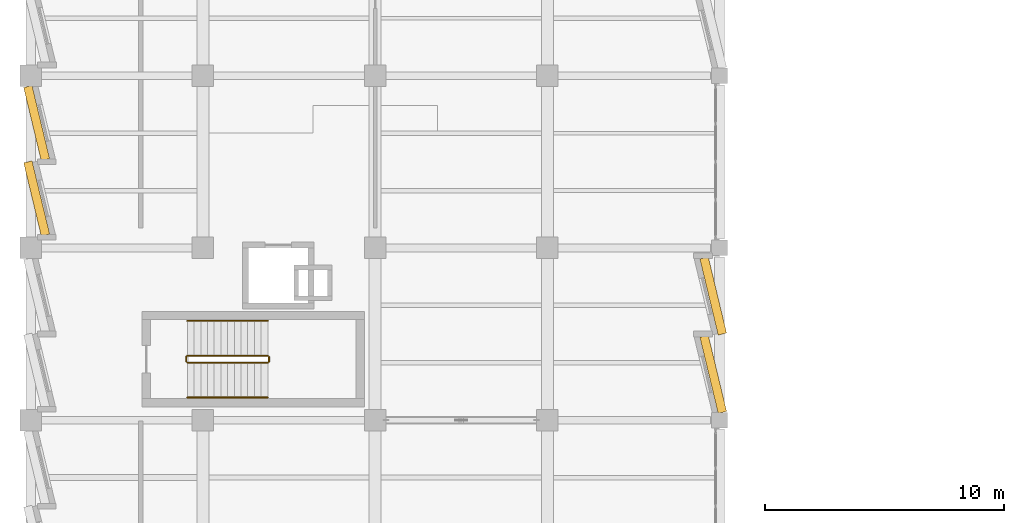
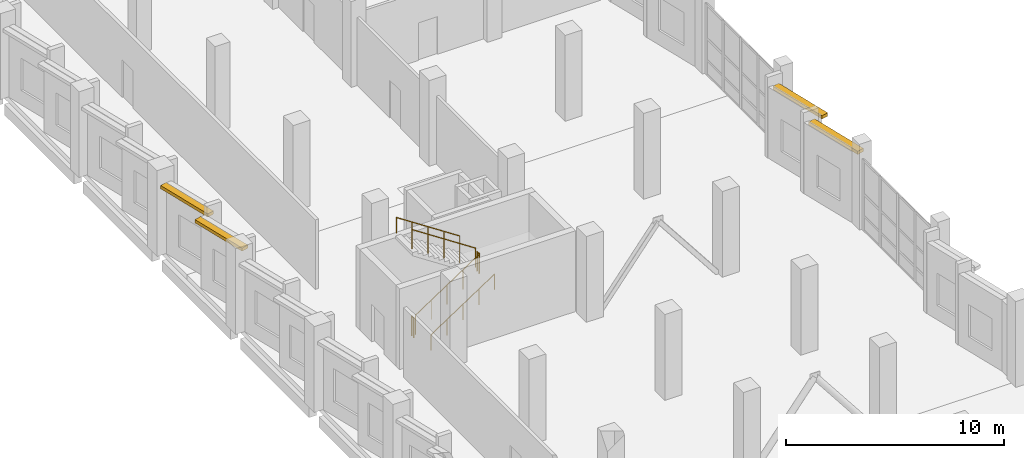
# One storey, part 111 of 127: 6 railings, 4 shading devices.
"""IFC4 building model written with IfcOpenShell, lengths in metres."""

from ifc_helpers import new_model, si_unit, direction, frame, origin, origin_2d, place, context, subcontext, project, spatial, rectangle, circle, extrude, material, layer, layer_set, type_object, element, save


model = new_model("IFC4")

# Units and contexts
model_context = context("Model", 3, precision=1e-05, world=origin(), true_north=direction((0.0, 1.0)))
body_context = subcontext(model_context, "Body", "Model", "MODEL_VIEW")
ifc_project = project(units=[si_unit("LENGTHUNIT", "METRE"), si_unit("AREAUNIT", "SQUARE_METRE"), si_unit("VOLUMEUNIT", "CUBIC_METRE"), si_unit("PLANEANGLEUNIT", "RADIAN"), si_unit("MASSUNIT", "GRAM", prefix="KILO")], contexts=[model_context])

# Site, building, storey
site_placement = place(None, origin())
site = spatial("IfcSite", under=ifc_project, at=site_placement, CompositionType="ELEMENT")
building_placement = place(site_placement, origin())
building = spatial("IfcBuilding", under=site, at=building_placement, Name="Kalmorath City Hall", CompositionType="ELEMENT")
storey_placement = place(building_placement, frame((0.0, 0.0, 5.39990234375)))
storey = spatial("IfcBuildingStorey", under=building, at=storey_placement, Name="L01", CompositionType="ELEMENT", Elevation=5.39990234375)

# Shading devices
ifc_material_1 = material(Name="Precast concrete C40/50", Category="concrete")
ifc_layer = layer(ifc_material_1, 0.179931640625)
ifc_layer_set = layer_set([ifc_layer], Name="Precast concrete C40/50")
shading_device_type = type_object("IfcShadingDeviceType", Name="Precast sawtooth brow sunshade 350", PredefinedType="USERDEFINED", material=ifc_layer_set)
for number, where, z_axis, x_axis, name in (
    (1, (0.246826171875, 59.671630859375, 3.76611328125), (0.0, 0.0, 1.0), (-0.233445363856, 0.972369920398, 0.0), "L01 precast sawtooth hood #102"),
    (2, (0.246826171875, 62.82080078125, 3.76611328125), (0.0, 0.0, 1.0), (-0.233445363856, 0.972369920398, 0.0), "L01 precast sawtooth hood #103"),
):
    element("IfcShadingDevice", number, at=place(storey_placement, frame(where, z_axis=z_axis, x_axis=x_axis)), inside=storey, type_object=shading_device_type, Name=name, ObjectType="SUNSHADE", PredefinedType="USERDEFINED", context=body_context, shape_type="SweptSolid", body=[
        extrude(rectangle(XDim=3.1435546875, YDim=0.360107421875, at=origin_2d()), origin(), (0.0, 0.0, 1.0), 0.179931640625),
    ])
for number, where, z_axis, x_axis, name in (
    (3, (28.5380859375, 55.5908203125, 3.76611328125), (0.0, 0.0, 1.0), (0.233445363856, -0.972369920398, 0.0), "L01 precast sawtooth hood #182"),
    (4, (28.5380859375, 52.31689453125, 3.76611328125), (0.0, 0.0, 1.0), (0.233445363856, -0.972369920398, 0.0), "L01 precast sawtooth hood #183"),
):
    element("IfcShadingDevice", number, at=place(storey_placement, frame(where, z_axis=z_axis, x_axis=x_axis)), inside=storey, type_object=shading_device_type, Name=name, ObjectType="SUNSHADE", PredefinedType="USERDEFINED", context=body_context, shape_type="SweptSolid", body=[
        extrude(rectangle(XDim=3.27197265625, YDim=0.360107421875, at=origin_2d()), origin(), (0.0, 0.0, 1.0), 0.179931640625),
    ])

# Railings
ifc_material_2 = material(Name="Painted steel guardrail", Category="steel")
railing_type_1 = type_object("IfcRailingType", Name="Protected stair guardrail 1100", PredefinedType="GUARDRAIL", material=ifc_material_2)
railing_1_placement = place(storey_placement, frame((6.550048828125, 52.800048828125, 0.184814453125)))
element("IfcRailing", 5, at=railing_1_placement, inside=storey, type_object=railing_type_1, Name="L01 ST-3 stair guard 1", PredefinedType="GUARDRAIL", context=body_context, shape_type="SweptSolid", body=[
    extrude(circle(Radius=0.02392578125, at=origin_2d()), frame((0.0, 0.0, 1.076171875), z_axis=(0.834858096282, 0.0, 0.550465220583), x_axis=(0.0, 1.0, 0.0)), (0.0, 0.0, 1.0), 4.0244140625),
    extrude(circle(Radius=0.02099609375, at=origin_2d()), origin(), (0.0, 0.0, 1.0), 1.052001953125),
    extrude(circle(Radius=0.02099609375, at=origin_2d()), frame((0.83984375, 0.0, 0.5537109375)), (0.0, 0.0, 1.0), 1.052001953125),
    extrude(circle(Radius=0.02099609375, at=origin_2d()), frame((1.679931640625, 0.0, 1.107666015625)), (0.0, 0.0, 1.0), 1.052001953125),
    extrude(circle(Radius=0.02099609375, at=origin_2d()), frame((2.52001953125, 0.0, 1.66162109375)), (0.0, 0.0, 1.0), 1.052001953125),
    extrude(circle(Radius=0.02099609375, at=origin_2d()), frame((3.35986328125, 0.0, 2.21533203125)), (0.0, 0.0, 1.0), 1.052001953125),
])
railing_2_placement = place(storey_placement, frame((9.9599609375, 52.85009765625, 2.400146484375)))
element("IfcRailing", 6, at=railing_2_placement, inside=storey, type_object=railing_type_1, Name="L01 ST-3 stair guard 2", PredefinedType="GUARDRAIL", context=body_context, shape_type="SweptSolid", body=[
    extrude(circle(Radius=0.02392578125, at=origin_2d()), frame((0.0, 0.0, 1.076171875), z_axis=(0.0, 1.0, 0.0), x_axis=(-1.0, 0.0, 0.0)), (0.0, 0.0, 1.0), 0.199951171875),
    extrude(circle(Radius=0.02099609375, at=origin_2d()), origin(), (0.0, 0.0, 1.0), 1.052001953125),
    extrude(circle(Radius=0.02099609375, at=origin_2d()), frame((0.0, 0.199951171875, 0.0)), (0.0, 0.0, 1.0), 1.052001953125),
])
railing_3_placement = place(storey_placement, frame((9.909912109375, 53.10009765625, 2.584716796875)))
element("IfcRailing", 7, at=railing_3_placement, inside=storey, type_object=railing_type_1, Name="L01 ST-3 stair guard 3", PredefinedType="GUARDRAIL", context=body_context, shape_type="SweptSolid", body=[
    extrude(circle(Radius=0.02392578125, at=origin_2d()), frame((0.0, 0.0, 1.076171875), z_axis=(-0.834858096282, 0.0, 0.550465220583), x_axis=(0.0, -1.0, 0.0)), (0.0, 0.0, 1.0), 4.0244140625),
    extrude(circle(Radius=0.02099609375, at=origin_2d()), origin(), (0.0, 0.0, 1.0), 1.052001953125),
    extrude(circle(Radius=0.02099609375, at=origin_2d()), frame((-0.83984375, 0.0, 0.5537109375)), (0.0, 0.0, 1.0), 1.052001953125),
    extrude(circle(Radius=0.02099609375, at=origin_2d()), frame((-1.679931640625, 0.0, 1.107666015625)), (0.0, 0.0, 1.0), 1.052001953125),
    extrude(circle(Radius=0.02099609375, at=origin_2d()), frame((-2.52001953125, 0.0, 1.66162109375)), (0.0, 0.0, 1.0), 1.052001953125),
    extrude(circle(Radius=0.02099609375, at=origin_2d()), frame((-3.35986328125, 0.0, 2.21533203125)), (0.0, 0.0, 1.0), 1.052001953125),
])
railing_4_placement = place(storey_placement, frame((6.5, 52.85009765625, 0.0)))
element("IfcRailing", 8, at=railing_4_placement, inside=storey, type_object=railing_type_1, Name="L01 ST-3 stair guard 4", PredefinedType="GUARDRAIL", context=body_context, shape_type="SweptSolid", body=[
    extrude(circle(Radius=0.02392578125, at=origin_2d()), frame((0.0, 0.0, 1.076171875), z_axis=(0.0, 1.0, 0.0), x_axis=(-1.0, 0.0, 0.0)), (0.0, 0.0, 1.0), 0.199951171875),
    extrude(circle(Radius=0.02099609375, at=origin_2d()), origin(), (0.0, 0.0, 1.0), 1.052001953125),
    extrude(circle(Radius=0.02099609375, at=origin_2d()), frame((0.0, 0.199951171875, 0.0)), (0.0, 0.0, 1.0), 1.052001953125),
])
ifc_material_3 = material(Name="Brushed stainless steel handrail", Category="steel")
railing_type_2 = type_object("IfcRailingType", Name="Stair pitch handrail 900", PredefinedType="HANDRAIL", material=ifc_material_3)
railing_5_placement = place(storey_placement, frame((6.550048828125, 51.35009765625, 0.184814453125)))
element("IfcRailing", 9, at=railing_5_placement, inside=storey, type_object=railing_type_2, Name="L01 ST-3 stair handrail 1", PredefinedType="HANDRAIL", context=body_context, shape_type="SweptSolid", body=[
    extrude(circle(Radius=0.02392578125, at=origin_2d()), frame((0.0, 0.0, 0.8759765625), z_axis=(0.834858096282, 0.0, 0.550465220583), x_axis=(0.0, 1.0, 0.0)), (0.0, 0.0, 1.0), 4.0244140625),
    extrude(circle(Radius=0.02099609375, at=origin_2d()), origin(), (0.0, 0.0, 1.0), 0.851806640625),
    extrude(circle(Radius=0.02099609375, at=origin_2d()), frame((0.83984375, 0.0, 0.5537109375)), (0.0, 0.0, 1.0), 0.851806640625),
    extrude(circle(Radius=0.02099609375, at=origin_2d()), frame((1.679931640625, 0.0, 1.107666015625)), (0.0, 0.0, 1.0), 0.851806640625),
    extrude(circle(Radius=0.02099609375, at=origin_2d()), frame((2.52001953125, 0.0, 1.66162109375)), (0.0, 0.0, 1.0), 0.851806640625),
    extrude(circle(Radius=0.02099609375, at=origin_2d()), frame((3.35986328125, 0.0, 2.21533203125)), (0.0, 0.0, 1.0), 0.851806640625),
])
railing_6_placement = place(storey_placement, frame((9.909912109375, 54.550048828125, 2.584716796875)))
element("IfcRailing", 10, at=railing_6_placement, inside=storey, type_object=railing_type_2, Name="L01 ST-3 stair handrail 2", PredefinedType="HANDRAIL", context=body_context, shape_type="SweptSolid", body=[
    extrude(circle(Radius=0.02392578125, at=origin_2d()), frame((0.0, 0.0, 0.8759765625), z_axis=(-0.834858096282, 0.0, 0.550465220583), x_axis=(0.0, -1.0, 0.0)), (0.0, 0.0, 1.0), 4.0244140625),
    extrude(circle(Radius=0.02099609375, at=origin_2d()), origin(), (0.0, 0.0, 1.0), 0.851806640625),
    extrude(circle(Radius=0.02099609375, at=origin_2d()), frame((-0.83984375, 0.0, 0.5537109375)), (0.0, 0.0, 1.0), 0.851806640625),
    extrude(circle(Radius=0.02099609375, at=origin_2d()), frame((-1.679931640625, 0.0, 1.107666015625)), (0.0, 0.0, 1.0), 0.851806640625),
    extrude(circle(Radius=0.02099609375, at=origin_2d()), frame((-2.52001953125, 0.0, 1.66162109375)), (0.0, 0.0, 1.0), 0.851806640625),
    extrude(circle(Radius=0.02099609375, at=origin_2d()), frame((-3.35986328125, 0.0, 2.21533203125)), (0.0, 0.0, 1.0), 0.851806640625),
])

save(model, "model.ifc")
